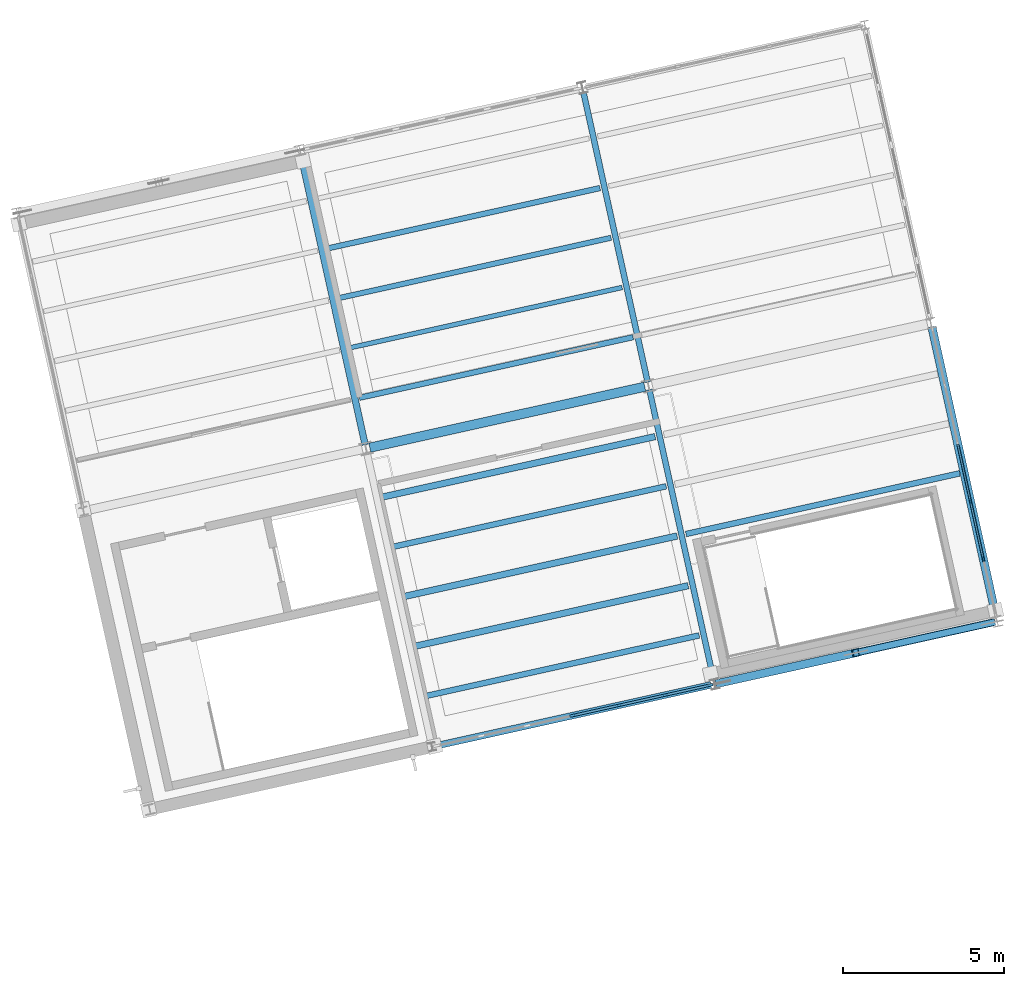
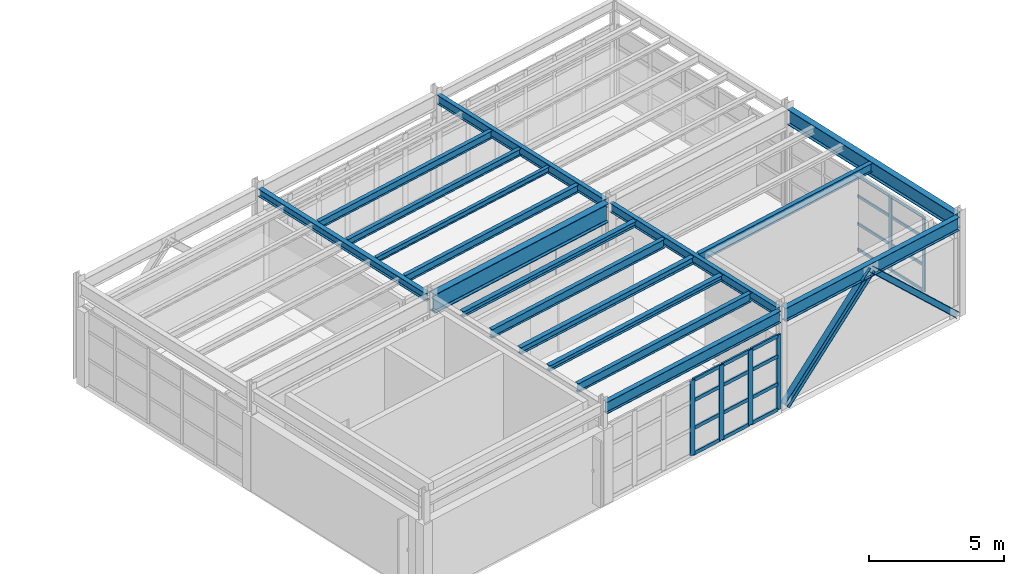
# One storey, part 29 of 59: 28 members, 17 beams, 2 elements without a shape of their own.
"""IFC4 building model written with IfcOpenShell, lengths in metres."""

from ifc_helpers import new_model, si_unit, direction, frame, origin, origin_2d, place, context, subcontext, project, spatial, rectangle, i_section, extrude, material, layer, layer_set, material_profile, profile_set, type_object, element, aggregate, save


model = new_model("IFC4")

# Units and contexts
model_context = context("Model", 3, precision=1e-05, world=origin(), true_north=direction((0.0, 1.0)))
body_context = subcontext(model_context, "Body", "Model", "MODEL_VIEW")
ifc_project = project(units=[si_unit("LENGTHUNIT", "METRE"), si_unit("AREAUNIT", "SQUARE_METRE"), si_unit("VOLUMEUNIT", "CUBIC_METRE"), si_unit("PLANEANGLEUNIT", "RADIAN"), si_unit("MASSUNIT", "GRAM", prefix="KILO")], contexts=[model_context])

# Site, building, storey
site_placement = place(None, origin())
site = spatial("IfcSite", under=ifc_project, at=site_placement, CompositionType="ELEMENT")
building_placement = place(site_placement, origin())
building = spatial("IfcBuilding", under=site, at=building_placement, Name="Vireo Bluff Cable Station", CompositionType="ELEMENT")
storey_placement = place(building_placement, frame((0.0, 0.0, 14.39990234375)))
storey = spatial("IfcBuildingStorey", under=building, at=storey_placement, Name="L03", CompositionType="ELEMENT", Elevation=14.39990234375)

# Beams
ifc_material_1 = material(Name="Steel ASTM A992 Gr. 50", Category="steel")
ifc_material_profile_1 = material_profile(ifc_material_1, i_section(OverallWidth=0.2041015625, OverallDepth=0.35009765625, WebThickness=0.008544921875, FlangeThickness=0.01513671875, FilletRadius=0.010009765625, at=origin_2d()), Name="W14X48")
ifc_profile_set_1 = profile_set([ifc_material_profile_1], Name="Steel ASTM A992 Gr. 50")
beam_type_1 = type_object("IfcBeamType", Name="BM-W14X48", PredefinedType="BEAM", material=ifc_profile_set_1)
beam_1_placement = place(storey_placement, frame((139.43505859375, 96.562744140625, 4.3251953125), z_axis=(-0.216455863908, 0.976292404447, 0.0), x_axis=(-0.976292404447, -0.216455863908, 0.0)))
element("IfcBeam", 1, at=beam_1_placement, inside=storey, type_object=beam_type_1, Name="V2 L03 beam 576", PredefinedType="BEAM", context=body_context, shape_type="SweptSolid", body=[
    extrude(i_section(OverallWidth=0.2041015625, OverallDepth=0.35009765625, WebThickness=0.008544921875, FlangeThickness=0.01513671875, FilletRadius=0.010009765625, at=origin_2d()), origin(), (0.0, 0.0, 1.0), 9.260009765625),
])
ifc_material_profile_2 = material_profile(ifc_material_1, i_section(OverallWidth=0.178955078125, OverallDepth=0.408935546875, WebThickness=0.0087890625, FlangeThickness=0.014404296875, FilletRadius=0.010009765625, at=origin_2d()), Name="W16X45")
ifc_profile_set_2 = profile_set([ifc_material_profile_2], Name="Steel ASTM A992 Gr. 50")
beam_type_2 = type_object("IfcBeamType", Name="BM-W16X45", PredefinedType="BEAM", material=ifc_profile_set_2)
beam_2_placement = place(storey_placement, frame((150.27783203125, 89.23583984375, 4.295654296875), z_axis=(-0.216430734067, 0.976297975698, 0.0), x_axis=(-0.976297975698, -0.216430734067, 0.0)))
element("IfcBeam", 2, at=beam_2_placement, inside=storey, type_object=beam_type_2, Name="V2 L03 beam 577", PredefinedType="BEAM", context=body_context, shape_type="SweptSolid", body=[
    extrude(i_section(OverallWidth=0.178955078125, OverallDepth=0.408935546875, WebThickness=0.0087890625, FlangeThickness=0.014404296875, FilletRadius=0.010009765625, at=origin_2d()), origin(), (0.0, 0.0, 1.0), 9.260009765625),
])
ifc_material_profile_3 = material_profile(ifc_material_1, i_section(OverallWidth=0.180908203125, OverallDepth=0.4169921875, WebThickness=0.010986328125, FlangeThickness=0.018310546875, FilletRadius=0.010009765625, at=origin_2d()), Name="W16X57")
ifc_profile_set_3 = profile_set([ifc_material_profile_3], Name="Steel ASTM A992 Gr. 50")
beam_type_3 = type_object("IfcBeamType", Name="BM-W16X57", PredefinedType="BEAM", material=ifc_profile_set_3)
beam_3_placement = place(storey_placement, frame((148.2216796875, 98.5107421875, 4.29150390625), z_axis=(-0.216430734067, 0.976297975698, 0.0), x_axis=(-0.976297975698, -0.216430734067, 0.0)))
element("IfcBeam", 3, at=beam_3_placement, inside=storey, type_object=beam_type_3, Name="V2 L03 beam 578", PredefinedType="BEAM", context=body_context, shape_type="SweptSolid", body=[
    extrude(i_section(OverallWidth=0.180908203125, OverallDepth=0.4169921875, WebThickness=0.010986328125, FlangeThickness=0.018310546875, FilletRadius=0.010009765625, at=origin_2d()), origin(), (0.0, 0.0, 1.0), 9.260009765625),
])

# Members
ifc_material_profile_4 = material_profile(ifc_material_1, i_section(OverallWidth=0.2041015625, OverallDepth=0.257080078125, WebThickness=0.0087890625, FlangeThickness=0.015625, FilletRadius=0.009033203125, at=origin_2d()), Name="W10X45")
ifc_profile_set_4 = profile_set([ifc_material_profile_4], Name="Steel ASTM A992 Gr. 50")
member_type_1 = type_object("IfcMemberType", Name="BRC-01", PredefinedType="BRACE", material=ifc_profile_set_4)
member_1_placement = place(storey_placement, frame((158.934326171875, 91.031982421875, 0.0400390625), z_axis=(-0.70641690538, -0.156588063094, 0.69025744059), x_axis=(0.216412221259, -0.976302079528, 0.0)))
element("IfcMember", 4, at=member_1_placement, inside=storey, type_object=member_type_1, Name="V2 L03 concentric brace 48R", PredefinedType="BRACE", context=body_context, shape_type="SweptSolid", body=[
    extrude(i_section(OverallWidth=0.2041015625, OverallDepth=0.257080078125, WebThickness=0.0087890625, FlangeThickness=0.015625, FilletRadius=0.009033203125, at=origin_2d()), origin(), (0.0, 0.0, 1.0), 5.998046875),
])
ifc_material_profile_5 = material_profile(ifc_material_1, i_section(OverallWidth=0.25390625, OverallDepth=0.35302734375, WebThickness=0.009521484375, FlangeThickness=0.016357421875, FilletRadius=0.011962890625, at=origin_2d()), Name="W14X61")
ifc_profile_set_5 = profile_set([ifc_material_profile_5], Name="Steel ASTM A992 Gr. 50")
member_type_2 = type_object("IfcMemberType", Name="BRC-06", PredefinedType="BRACE", material=ifc_profile_set_5)
member_2_placement = place(storey_placement, frame((150.4599609375, 89.1533203125, 0.0400390625), z_axis=(0.706432793225, 0.156623265057, 0.690233193565), x_axis=(-0.216453952688, 0.976292828185, 0.0)))
element("IfcMember", 5, at=member_2_placement, inside=storey, type_object=member_type_2, Name="V2 L03 concentric brace 47L", PredefinedType="BRACE", context=body_context, shape_type="SweptSolid", body=[
    extrude(i_section(OverallWidth=0.25390625, OverallDepth=0.35302734375, WebThickness=0.009521484375, FlangeThickness=0.016357421875, FilletRadius=0.011962890625, at=origin_2d()), origin(), (0.0, 0.0, 1.0), 5.998291015625),
])

# Curtain wall, members
ifc_material_2 = material(Name="Anodized Aluminium 6063-T6", Category="aluminium")
ifc_layer_1 = layer(ifc_material_2, 0.179931640625, Name="Anodized Aluminium 6063-T6")
ifc_layer_set_1 = layer_set([ifc_layer_1], Name="Anodized Aluminium 6063-T6")
curtain_wall_type_1 = type_object("IfcCurtainWallType", Name="CW-UNIT-1500", PredefinedType="USERDEFINED", material=ifc_layer_set_1)
curtain_wall_1_placement = place(storey_placement, origin())
curtain_wall_1 = element("IfcCurtainWall", 6, at=curtain_wall_1_placement, inside=storey, type_object=curtain_wall_type_1, Name="V2 L03 south curtain wall CW-061", ObjectType="UNITISED CURTAIN WALL", PredefinedType="USERDEFINED")
ifc_material_profile_6 = material_profile(ifc_material_2, rectangle(XDim=0.074951171875, YDim=0.2099609375, at=origin_2d()), Name="ALU-M-75X210")
ifc_profile_set_6 = profile_set([ifc_material_profile_6], Name="Anodized Aluminium 6063-T6")
member_type_3 = type_object("IfcMemberType", Name="CWM-02", PredefinedType="MULLION", material=ifc_profile_set_6)
member_3_placement = place(storey_placement, frame((150.141357421875, 89.082763671875, 0.0), z_axis=(0.0, 0.0, 1.0), x_axis=(0.216439605844, -0.976296008914, 0.0)))
member_3 = element("IfcMember", 7, at=member_3_placement, type_object=member_type_3, Name="CW-061 mullion 1", PredefinedType="MULLION", context=body_context, shape_type="SweptSolid", body=[
    extrude(rectangle(XDim=0.074951171875, YDim=0.2099609375, at=origin_2d()), origin(), (0.0, 0.0, 1.0), 3.400146484375),
])
member_4_placement = place(storey_placement, frame((148.75146484375, 88.7744140625, 0.0), z_axis=(0.0, 0.0, 1.0), x_axis=(0.216439605844, -0.976296008914, 0.0)))
member_4 = element("IfcMember", 8, at=member_4_placement, type_object=member_type_3, Name="CW-061 mullion 2", PredefinedType="MULLION", context=body_context, shape_type="SweptSolid", body=[
    extrude(rectangle(XDim=0.074951171875, YDim=0.2099609375, at=origin_2d()), origin(), (0.0, 0.0, 1.0), 3.400146484375),
])
member_5_placement = place(storey_placement, frame((147.32470703125, 88.458251953125, 0.0), z_axis=(0.0, 0.0, 1.0), x_axis=(0.216439605844, -0.976296008914, 0.0)))
member_5 = element("IfcMember", 9, at=member_5_placement, type_object=member_type_3, Name="CW-061 mullion 3", PredefinedType="MULLION", context=body_context, shape_type="SweptSolid", body=[
    extrude(rectangle(XDim=0.074951171875, YDim=0.2099609375, at=origin_2d()), origin(), (0.0, 0.0, 1.0), 3.400146484375),
])
member_6_placement = place(storey_placement, frame((145.898193359375, 88.14208984375, 0.0), z_axis=(0.0, 0.0, 1.0), x_axis=(0.216439605844, -0.976296008914, 0.0)))
member_6 = element("IfcMember", 10, at=member_6_placement, type_object=member_type_3, Name="CW-061 mullion 4", PredefinedType="MULLION", context=body_context, shape_type="SweptSolid", body=[
    extrude(rectangle(XDim=0.074951171875, YDim=0.2099609375, at=origin_2d()), origin(), (0.0, 0.0, 1.0), 3.400146484375),
])

ifc_layer_2 = layer(ifc_material_2, 0.159912109375, Name="Anodized Aluminium 6063-T6")
ifc_layer_set_2 = layer_set([ifc_layer_2], Name="Anodized Aluminium 6063-T6")
curtain_wall_type_2 = type_object("IfcCurtainWallType", Name="CW-STICK-1750", PredefinedType="USERDEFINED", material=ifc_layer_set_2)
curtain_wall_2_placement = place(storey_placement, origin())
curtain_wall_2 = element("IfcCurtainWall", 11, at=curtain_wall_2_placement, inside=storey, type_object=curtain_wall_type_2, Name="V2 L03 east curtain wall CW-066", ObjectType="STICK CURTAIN WALL", PredefinedType="USERDEFINED")
ifc_material_profile_7 = material_profile(ifc_material_2, rectangle(XDim=0.06005859375, YDim=0.159912109375, at=origin_2d()), Name="ALU-M-60X160")
ifc_profile_set_7 = profile_set([ifc_material_profile_7], Name="Anodized Aluminium 6063-T6")
member_type_4 = type_object("IfcMemberType", Name="CWM-03", PredefinedType="MULLION", material=ifc_profile_set_7)
member_7_placement = place(storey_placement, frame((158.260986328125, 94.8076171875, 0.0), z_axis=(0.0, 0.0, 1.0), x_axis=(0.976296011151, 0.216439595757, 0.0)))
member_7 = element("IfcMember", 12, at=member_7_placement, type_object=member_type_4, Name="CW-066 mullion 4", PredefinedType="MULLION", context=body_context, shape_type="SweptSolid", body=[
    extrude(rectangle(XDim=0.06005859375, YDim=0.159912109375, at=origin_2d()), origin(), (0.0, 0.0, 1.0), 3.400146484375),
])
member_8_placement = place(storey_placement, frame((158.658447265625, 93.01513671875, 0.0), z_axis=(0.0, 0.0, 1.0), x_axis=(0.976296011151, 0.216439595757, 0.0)))
member_8 = element("IfcMember", 13, at=member_8_placement, type_object=member_type_4, Name="CW-066 mullion 5", PredefinedType="MULLION", context=body_context, shape_type="SweptSolid", body=[
    extrude(rectangle(XDim=0.06005859375, YDim=0.159912109375, at=origin_2d()), origin(), (0.0, 0.0, 1.0), 3.400146484375),
])

# Member
ifc_material_profile_8 = material_profile(ifc_material_2, rectangle(XDim=0.074951171875, YDim=0.159912109375, at=origin_2d()), Name="ALU-T-75X160")
ifc_profile_set_8 = profile_set([ifc_material_profile_8], Name="Anodized Aluminium 6063-T6")
member_type_5 = type_object("IfcMemberType", Name="CWT-02", PredefinedType="USERDEFINED", material=ifc_profile_set_8)
member_9_placement = place(storey_placement, frame((150.104736328125, 89.074462890625, 0.03759765625), z_axis=(-0.976327398418, -0.216297968318, 0.0), x_axis=(0.216297968318, -0.976327398418, 0.0)))
member_9 = element("IfcMember", 14, at=member_9_placement, type_object=member_type_5, Name="CW-061 transom 1.1", ObjectType="TRANSOM", PredefinedType="USERDEFINED", context=body_context, shape_type="SweptSolid", body=[
    extrude(rectangle(XDim=0.074951171875, YDim=0.159912109375, at=origin_2d()), origin(), (0.0, 0.0, 1.0), 1.348876953125),
])

member_10_placement = place(storey_placement, frame((150.104736328125, 89.074462890625, 1.190185546875), z_axis=(-0.976327398418, -0.216297968318, 0.0), x_axis=(0.216297968318, -0.976327398418, 0.0)))
member_10 = element("IfcMember", 15, at=member_10_placement, type_object=member_type_5, Name="CW-061 transom 1.2", ObjectType="TRANSOM", PredefinedType="USERDEFINED", context=body_context, shape_type="SweptSolid", body=[
    extrude(rectangle(XDim=0.074951171875, YDim=0.159912109375, at=origin_2d()), origin(), (0.0, 0.0, 1.0), 1.348876953125),
])

member_11_placement = place(storey_placement, frame((150.104736328125, 89.074462890625, 2.447998046875), z_axis=(-0.976327398418, -0.216297968318, 0.0), x_axis=(0.216297968318, -0.976327398418, 0.0)))
member_11 = element("IfcMember", 16, at=member_11_placement, type_object=member_type_5, Name="CW-061 transom 1.3", ObjectType="TRANSOM", PredefinedType="USERDEFINED", context=body_context, shape_type="SweptSolid", body=[
    extrude(rectangle(XDim=0.074951171875, YDim=0.159912109375, at=origin_2d()), origin(), (0.0, 0.0, 1.0), 1.348876953125),
])

member_12_placement = place(storey_placement, frame((150.104736328125, 89.074462890625, 3.362548828125), z_axis=(-0.976327398418, -0.216297968318, 0.0), x_axis=(0.216297968318, -0.976327398418, 0.0)))
member_12 = element("IfcMember", 17, at=member_12_placement, type_object=member_type_5, Name="CW-061 transom 1.4", ObjectType="TRANSOM", PredefinedType="USERDEFINED", context=body_context, shape_type="SweptSolid", body=[
    extrude(rectangle(XDim=0.074951171875, YDim=0.159912109375, at=origin_2d()), origin(), (0.0, 0.0, 1.0), 1.348876953125),
])

member_13_placement = place(storey_placement, frame((148.71484375, 88.766357421875, 0.03759765625), z_axis=(-0.976298805708, -0.216426989938, 0.0), x_axis=(0.216426989938, -0.976298805708, 0.0)))
member_13 = element("IfcMember", 18, at=member_13_placement, type_object=member_type_5, Name="CW-061 transom 2.1", ObjectType="TRANSOM", PredefinedType="USERDEFINED", context=body_context, shape_type="SweptSolid", body=[
    extrude(rectangle(XDim=0.074951171875, YDim=0.159912109375, at=origin_2d()), origin(), (0.0, 0.0, 1.0), 1.386474609375),
])

member_14_placement = place(storey_placement, frame((148.71484375, 88.766357421875, 1.190185546875), z_axis=(-0.976298805708, -0.216426989938, 0.0), x_axis=(0.216426989938, -0.976298805708, 0.0)))
member_14 = element("IfcMember", 19, at=member_14_placement, type_object=member_type_5, Name="CW-061 transom 2.2", ObjectType="TRANSOM", PredefinedType="USERDEFINED", context=body_context, shape_type="SweptSolid", body=[
    extrude(rectangle(XDim=0.074951171875, YDim=0.159912109375, at=origin_2d()), origin(), (0.0, 0.0, 1.0), 1.386474609375),
])

member_15_placement = place(storey_placement, frame((148.71484375, 88.766357421875, 2.447998046875), z_axis=(-0.976298805708, -0.216426989938, 0.0), x_axis=(0.216426989938, -0.976298805708, 0.0)))
member_15 = element("IfcMember", 20, at=member_15_placement, type_object=member_type_5, Name="CW-061 transom 2.3", ObjectType="TRANSOM", PredefinedType="USERDEFINED", context=body_context, shape_type="SweptSolid", body=[
    extrude(rectangle(XDim=0.074951171875, YDim=0.159912109375, at=origin_2d()), origin(), (0.0, 0.0, 1.0), 1.386474609375),
])

member_16_placement = place(storey_placement, frame((148.71484375, 88.766357421875, 3.362548828125), z_axis=(-0.976298805708, -0.216426989938, 0.0), x_axis=(0.216426989938, -0.976298805708, 0.0)))
member_16 = element("IfcMember", 21, at=member_16_placement, type_object=member_type_5, Name="CW-061 transom 2.4", ObjectType="TRANSOM", PredefinedType="USERDEFINED", context=body_context, shape_type="SweptSolid", body=[
    extrude(rectangle(XDim=0.074951171875, YDim=0.159912109375, at=origin_2d()), origin(), (0.0, 0.0, 1.0), 1.386474609375),
])

member_17_placement = place(storey_placement, frame((147.2880859375, 88.4501953125, 0.03759765625), z_axis=(-0.97629055494, -0.216464205669, 0.0), x_axis=(0.216464205669, -0.97629055494, 0.0)))
member_17 = element("IfcMember", 22, at=member_17_placement, type_object=member_type_5, Name="CW-061 transom 3.1", ObjectType="TRANSOM", PredefinedType="USERDEFINED", context=body_context, shape_type="SweptSolid", body=[
    extrude(rectangle(XDim=0.074951171875, YDim=0.159912109375, at=origin_2d()), origin(), (0.0, 0.0, 1.0), 1.38623046875),
])

member_18_placement = place(storey_placement, frame((147.2880859375, 88.4501953125, 1.190185546875), z_axis=(-0.97629055494, -0.216464205669, 0.0), x_axis=(0.216464205669, -0.97629055494, 0.0)))
member_18 = element("IfcMember", 23, at=member_18_placement, type_object=member_type_5, Name="CW-061 transom 3.2", ObjectType="TRANSOM", PredefinedType="USERDEFINED", context=body_context, shape_type="SweptSolid", body=[
    extrude(rectangle(XDim=0.074951171875, YDim=0.159912109375, at=origin_2d()), origin(), (0.0, 0.0, 1.0), 1.38623046875),
])

member_19_placement = place(storey_placement, frame((147.2880859375, 88.4501953125, 2.447998046875), z_axis=(-0.97629055494, -0.216464205669, 0.0), x_axis=(0.216464205669, -0.97629055494, 0.0)))
member_19 = element("IfcMember", 24, at=member_19_placement, type_object=member_type_5, Name="CW-061 transom 3.3", ObjectType="TRANSOM", PredefinedType="USERDEFINED", context=body_context, shape_type="SweptSolid", body=[
    extrude(rectangle(XDim=0.074951171875, YDim=0.159912109375, at=origin_2d()), origin(), (0.0, 0.0, 1.0), 1.38623046875),
])

member_20_placement = place(storey_placement, frame((147.2880859375, 88.4501953125, 3.362548828125), z_axis=(-0.97629055494, -0.216464205669, 0.0), x_axis=(0.216464205669, -0.97629055494, 0.0)))
member_20 = element("IfcMember", 25, at=member_20_placement, type_object=member_type_5, Name="CW-061 transom 3.4", ObjectType="TRANSOM", PredefinedType="USERDEFINED", context=body_context, shape_type="SweptSolid", body=[
    extrude(rectangle(XDim=0.074951171875, YDim=0.159912109375, at=origin_2d()), origin(), (0.0, 0.0, 1.0), 1.38623046875),
])

aggregate(curtain_wall_1, [member_3, member_4, member_5, member_6, member_9, member_10, member_11, member_12, member_13, member_14, member_15, member_16, member_17, member_18, member_19, member_20])

ifc_material_profile_9 = material_profile(ifc_material_2, rectangle(XDim=0.06005859375, YDim=0.1201171875, at=origin_2d()), Name="ALU-T-60X120")
ifc_profile_set_9 = profile_set([ifc_material_profile_9], Name="Anodized Aluminium 6063-T6")
member_type_6 = type_object("IfcMemberType", Name="CWT-03", PredefinedType="USERDEFINED", material=ifc_profile_set_9)
member_21_placement = place(storey_placement, frame((157.8701171875, 96.571044921875, 0.030029296875), z_axis=(0.216479284546, -0.976287211512, 0.0), x_axis=(0.976287211512, 0.216479284546, 0.0)))
member_21 = element("IfcMember", 26, at=member_21_placement, type_object=member_type_6, Name="CW-066 transom 3.1", ObjectType="TRANSOM", PredefinedType="USERDEFINED", context=body_context, shape_type="SweptSolid", body=[
    extrude(rectangle(XDim=0.06005859375, YDim=0.1201171875, at=origin_2d()), origin(), (0.0, 0.0, 1.0), 1.7763671875),
])

member_22_placement = place(storey_placement, frame((157.8701171875, 96.571044921875, 1.190185546875), z_axis=(0.216479284546, -0.976287211512, 0.0), x_axis=(0.976287211512, 0.216479284546, 0.0)))
member_22 = element("IfcMember", 27, at=member_22_placement, type_object=member_type_6, Name="CW-066 transom 3.2", ObjectType="TRANSOM", PredefinedType="USERDEFINED", context=body_context, shape_type="SweptSolid", body=[
    extrude(rectangle(XDim=0.06005859375, YDim=0.1201171875, at=origin_2d()), origin(), (0.0, 0.0, 1.0), 1.7763671875),
])

member_23_placement = place(storey_placement, frame((157.8701171875, 96.571044921875, 2.447998046875), z_axis=(0.216479284546, -0.976287211512, 0.0), x_axis=(0.976287211512, 0.216479284546, 0.0)))
member_23 = element("IfcMember", 28, at=member_23_placement, type_object=member_type_6, Name="CW-066 transom 3.3", ObjectType="TRANSOM", PredefinedType="USERDEFINED", context=body_context, shape_type="SweptSolid", body=[
    extrude(rectangle(XDim=0.06005859375, YDim=0.1201171875, at=origin_2d()), origin(), (0.0, 0.0, 1.0), 1.7763671875),
])

member_24_placement = place(storey_placement, frame((157.8701171875, 96.571044921875, 3.3701171875), z_axis=(0.216479284546, -0.976287211512, 0.0), x_axis=(0.976287211512, 0.216479284546, 0.0)))
member_24 = element("IfcMember", 29, at=member_24_placement, type_object=member_type_6, Name="CW-066 transom 3.4", ObjectType="TRANSOM", PredefinedType="USERDEFINED", context=body_context, shape_type="SweptSolid", body=[
    extrude(rectangle(XDim=0.06005859375, YDim=0.1201171875, at=origin_2d()), origin(), (0.0, 0.0, 1.0), 1.7763671875),
])

member_25_placement = place(storey_placement, frame((158.267578125, 94.7783203125, 0.030029296875), z_axis=(0.216508337251, -0.97628076899, 0.0), x_axis=(0.97628076899, 0.216508337251, 0.0)))
member_25 = element("IfcMember", 30, at=member_25_placement, type_object=member_type_6, Name="CW-066 transom 4.1", ObjectType="TRANSOM", PredefinedType="USERDEFINED", context=body_context, shape_type="SweptSolid", body=[
    extrude(rectangle(XDim=0.06005859375, YDim=0.1201171875, at=origin_2d()), origin(), (0.0, 0.0, 1.0), 1.776123046875),
])

member_26_placement = place(storey_placement, frame((158.267578125, 94.7783203125, 1.190185546875), z_axis=(0.216508337251, -0.97628076899, 0.0), x_axis=(0.97628076899, 0.216508337251, 0.0)))
member_26 = element("IfcMember", 31, at=member_26_placement, type_object=member_type_6, Name="CW-066 transom 4.2", ObjectType="TRANSOM", PredefinedType="USERDEFINED", context=body_context, shape_type="SweptSolid", body=[
    extrude(rectangle(XDim=0.06005859375, YDim=0.1201171875, at=origin_2d()), origin(), (0.0, 0.0, 1.0), 1.776123046875),
])

member_27_placement = place(storey_placement, frame((158.267578125, 94.7783203125, 2.447998046875), z_axis=(0.216508337251, -0.97628076899, 0.0), x_axis=(0.97628076899, 0.216508337251, 0.0)))
member_27 = element("IfcMember", 32, at=member_27_placement, type_object=member_type_6, Name="CW-066 transom 4.3", ObjectType="TRANSOM", PredefinedType="USERDEFINED", context=body_context, shape_type="SweptSolid", body=[
    extrude(rectangle(XDim=0.06005859375, YDim=0.1201171875, at=origin_2d()), origin(), (0.0, 0.0, 1.0), 1.776123046875),
])

member_28_placement = place(storey_placement, frame((158.267578125, 94.7783203125, 3.3701171875), z_axis=(0.216508337251, -0.97628076899, 0.0), x_axis=(0.97628076899, 0.216508337251, 0.0)))
member_28 = element("IfcMember", 33, at=member_28_placement, type_object=member_type_6, Name="CW-066 transom 4.4", ObjectType="TRANSOM", PredefinedType="USERDEFINED", context=body_context, shape_type="SweptSolid", body=[
    extrude(rectangle(XDim=0.06005859375, YDim=0.1201171875, at=origin_2d()), origin(), (0.0, 0.0, 1.0), 1.776123046875),
])

aggregate(curtain_wall_2, [member_7, member_8, member_21, member_22, member_23, member_24, member_25, member_26, member_27, member_28])

# Beams
ifc_material_profile_10 = material_profile(ifc_material_1, i_section(OverallWidth=0.2919921875, OverallDepth=0.85888671875, WebThickness=0.01708984375, FlangeThickness=0.031005859375, FilletRadius=0.01806640625, at=origin_2d()), Name="W33X169")
ifc_profile_set_10 = profile_set([ifc_material_profile_10], Name="Steel ASTM A992 Gr. 50")
beam_type_4 = type_object("IfcBeamType", Name="GIR-W33X169", PredefinedType="USERDEFINED", material=ifc_profile_set_10)
beam_4_placement = place(storey_placement, frame((139.578125, 96.471435546875, 4.070556640625), z_axis=(0.976295795297, 0.216440569406, 0.0), x_axis=(-0.216440569406, 0.976295795297, 0.0)))
element("IfcBeam", 34, at=beam_4_placement, inside=storey, type_object=beam_type_4, Name="V2 L03 girder 568", ObjectType="GIRDER", PredefinedType="USERDEFINED", context=body_context, shape_type="SweptSolid", body=[
    extrude(i_section(OverallWidth=0.2919921875, OverallDepth=0.85888671875, WebThickness=0.01708984375, FlangeThickness=0.031005859375, FilletRadius=0.01806640625, at=origin_2d()), origin(), (0.0, 0.0, 1.0), 8.760009765625),
])
ifc_material_profile_11 = material_profile(ifc_material_1, i_section(OverallWidth=0.14599609375, OverallDepth=0.259033203125, WebThickness=0.006103515625, FlangeThickness=0.009033203125, FilletRadius=0.009033203125, at=origin_2d()), Name="W10X22")
ifc_profile_set_11 = profile_set([ifc_material_profile_11], Name="Steel ASTM A992 Gr. 50")
beam_type_5 = type_object("IfcBeamType", Name="JST-W10X22", PredefinedType="JOIST", material=ifc_profile_set_11)
beam_5_placement = place(storey_placement, frame((138.912353515625, 99.5673828125, 4.37060546875), z_axis=(0.976293006815, 0.216453146994, 0.0), x_axis=(-0.216453146994, 0.976293006815, 0.0)))
element("IfcBeam", 35, at=beam_5_placement, inside=storey, type_object=beam_type_5, Name="V2 L03 composite joist 592", PredefinedType="JOIST", context=body_context, shape_type="SweptSolid", body=[
    extrude(i_section(OverallWidth=0.14599609375, OverallDepth=0.259033203125, WebThickness=0.006103515625, FlangeThickness=0.009033203125, FilletRadius=0.009033203125, at=origin_2d()), origin(), (0.0, 0.0, 1.0), 8.719970703125),
])
ifc_material_profile_12 = material_profile(ifc_material_1, i_section(OverallWidth=0.201904296875, OverallDepth=0.2470703125, WebThickness=0.00732421875, FlangeThickness=0.010986328125, FilletRadius=0.009033203125, at=origin_2d()), Name="W10X33")
ifc_profile_set_12 = profile_set([ifc_material_profile_12], Name="Steel ASTM A992 Gr. 50")
beam_type_6 = type_object("IfcBeamType", Name="JST-W10X33", PredefinedType="JOIST", material=ifc_profile_set_12)
for number, where, z_axis, x_axis, name in (
    (36, (140.968505859375, 90.292724609375, 4.376708984375), (0.976298923088, 0.216426460438, 0.0), (-0.216426460438, 0.976298923088, 0.0), "V2 L03 composite joist 587"),
    (37, (139.9404296875, 94.929931640625, 4.376708984375), (0.976293006815, 0.216453146994, 0.0), (-0.216453146994, 0.976293006815, 0.0), "V2 L03 composite joist 590"),
):
    element("IfcBeam", number, at=place(storey_placement, frame(where, z_axis=z_axis, x_axis=x_axis)), inside=storey, type_object=beam_type_6, Name=name, PredefinedType="JOIST", context=body_context, shape_type="SweptSolid", body=[
        extrude(i_section(OverallWidth=0.201904296875, OverallDepth=0.2470703125, WebThickness=0.00732421875, FlangeThickness=0.010986328125, FilletRadius=0.009033203125, at=origin_2d()), origin(), (0.0, 0.0, 1.0), 8.719970703125),
    ])
ifc_material_profile_13 = material_profile(ifc_material_1, i_section(OverallWidth=0.1650390625, OverallDepth=0.31005859375, WebThickness=0.005859375, FlangeThickness=0.009765625, FilletRadius=0.010009765625, at=origin_2d()), Name="W12X26")
ifc_profile_set_13 = profile_set([ifc_material_profile_13], Name="Steel ASTM A992 Gr. 50")
beam_type_7 = type_object("IfcBeamType", Name="JST-W12X26", PredefinedType="JOIST", material=ifc_profile_set_13)
beam_6_placement = place(storey_placement, frame((138.569580078125, 101.11328125, 4.34521484375), z_axis=(0.976298923088, 0.216426460438, 0.0), x_axis=(-0.216426460438, 0.976298923088, 0.0)))
element("IfcBeam", 38, at=beam_6_placement, inside=storey, type_object=beam_type_7, Name="V2 L03 composite joist 593", PredefinedType="JOIST", context=body_context, shape_type="SweptSolid", body=[
    extrude(i_section(OverallWidth=0.1650390625, OverallDepth=0.31005859375, WebThickness=0.005859375, FlangeThickness=0.009765625, FilletRadius=0.010009765625, at=origin_2d()), origin(), (0.0, 0.0, 1.0), 8.719970703125),
])
ifc_material_profile_14 = material_profile(ifc_material_1, i_section(OverallWidth=0.202880859375, OverallDepth=0.302978515625, WebThickness=0.007568359375, FlangeThickness=0.01318359375, FilletRadius=0.010009765625, at=origin_2d()), Name="W12X40")
ifc_profile_set_14 = profile_set([ifc_material_profile_14], Name="Steel ASTM A992 Gr. 50")
beam_type_8 = type_object("IfcBeamType", Name="JST-W12X40", PredefinedType="JOIST", material=ifc_profile_set_14)
beam_7_placement = place(storey_placement, frame((140.625732421875, 91.83837890625, 4.3486328125), z_axis=(0.976294318526, 0.216447230551, 0.0), x_axis=(-0.216447230551, 0.976294318526, 0.0)))
element("IfcBeam", 39, at=beam_7_placement, inside=storey, type_object=beam_type_8, Name="V2 L03 composite joist 588", PredefinedType="JOIST", context=body_context, shape_type="SweptSolid", body=[
    extrude(i_section(OverallWidth=0.202880859375, OverallDepth=0.302978515625, WebThickness=0.007568359375, FlangeThickness=0.01318359375, FilletRadius=0.010009765625, at=origin_2d()), origin(), (0.0, 0.0, 1.0), 8.72021484375),
])
ifc_material_profile_15 = material_profile(ifc_material_1, i_section(OverallWidth=0.1708984375, OverallDepth=0.35107421875, WebThickness=0.0068359375, FlangeThickness=0.009765625, FilletRadius=0.010009765625, at=origin_2d()), Name="W14X30")
ifc_profile_set_15 = profile_set([ifc_material_profile_15], Name="Steel ASTM A992 Gr. 50")
beam_type_9 = type_object("IfcBeamType", Name="JST-W14X30", PredefinedType="JOIST", material=ifc_profile_set_15)
beam_8_placement = place(storey_placement, frame((139.2548828125, 98.021728515625, 4.32470703125), z_axis=(0.976300234484, 0.216420544652, 0.0), x_axis=(-0.216420544652, 0.976300234484, 0.0)))
element("IfcBeam", 40, at=beam_8_placement, inside=storey, type_object=beam_type_9, Name="V2 L03 composite joist 591", PredefinedType="JOIST", context=body_context, shape_type="SweptSolid", body=[
    extrude(i_section(OverallWidth=0.1708984375, OverallDepth=0.35107421875, WebThickness=0.0068359375, FlangeThickness=0.009765625, FilletRadius=0.010009765625, at=origin_2d()), origin(), (0.0, 0.0, 1.0), 8.719970703125),
])
beam_9_placement = place(storey_placement, frame((138.226806640625, 102.658935546875, 4.32470703125), z_axis=(0.976294318526, 0.216447230551, 0.0), x_axis=(-0.216447230551, 0.976294318526, 0.0)))
element("IfcBeam", 41, at=beam_9_placement, inside=storey, type_object=beam_type_9, Name="V2 L03 composite joist 594", PredefinedType="JOIST", context=body_context, shape_type="SweptSolid", body=[
    extrude(i_section(OverallWidth=0.1708984375, OverallDepth=0.35107421875, WebThickness=0.0068359375, FlangeThickness=0.009765625, FilletRadius=0.010009765625, at=origin_2d()), origin(), (0.0, 0.0, 1.0), 8.72021484375),
])
ifc_material_profile_16 = material_profile(ifc_material_1, i_section(OverallWidth=0.177978515625, OverallDepth=0.404052734375, WebThickness=0.007568359375, FlangeThickness=0.010986328125, FilletRadius=0.010009765625, at=origin_2d()), Name="W16X36")
ifc_profile_set_16 = profile_set([ifc_material_profile_16], Name="Steel ASTM A992 Gr. 50")
beam_type_10 = type_object("IfcBeamType", Name="JST-W16X36", PredefinedType="JOIST", material=ifc_profile_set_16)
beam_10_placement = place(storey_placement, frame((141.31103515625, 88.746826171875, 4.298095703125), z_axis=(0.976294318526, 0.216447230551, 0.0), x_axis=(-0.216447230551, 0.976294318526, 0.0)))
element("IfcBeam", 42, at=beam_10_placement, inside=storey, type_object=beam_type_10, Name="V2 L03 composite joist 586", PredefinedType="JOIST", context=body_context, shape_type="SweptSolid", body=[
    extrude(i_section(OverallWidth=0.177978515625, OverallDepth=0.404052734375, WebThickness=0.007568359375, FlangeThickness=0.010986328125, FilletRadius=0.010009765625, at=origin_2d()), origin(), (0.0, 0.0, 1.0), 8.72021484375),
])
beam_11_placement = place(storey_placement, frame((140.282958984375, 93.38427734375, 4.298095703125), z_axis=(0.976300234484, 0.216420544652, 0.0), x_axis=(-0.216420544652, 0.976300234484, 0.0)))
element("IfcBeam", 43, at=beam_11_placement, inside=storey, type_object=beam_type_10, Name="V2 L03 composite joist 589", PredefinedType="JOIST", context=body_context, shape_type="SweptSolid", body=[
    extrude(i_section(OverallWidth=0.177978515625, OverallDepth=0.404052734375, WebThickness=0.007568359375, FlangeThickness=0.010986328125, FilletRadius=0.010009765625, at=origin_2d()), origin(), (0.0, 0.0, 1.0), 8.719970703125),
])
beam_12_placement = place(storey_placement, frame((149.412353515625, 93.786376953125, 4.298095703125), z_axis=(0.976294318526, 0.216447230551, 0.0), x_axis=(-0.216447230551, 0.976294318526, 0.0)))
element("IfcBeam", 44, at=beam_12_placement, inside=storey, type_object=beam_type_10, Name="V2 L03 composite joist 596", PredefinedType="JOIST", context=body_context, shape_type="SweptSolid", body=[
    extrude(i_section(OverallWidth=0.177978515625, OverallDepth=0.404052734375, WebThickness=0.007568359375, FlangeThickness=0.010986328125, FilletRadius=0.010009765625, at=origin_2d()), origin(), (0.0, 0.0, 1.0), 8.72021484375),
])
ifc_material_profile_17 = material_profile(ifc_material_1, i_section(OverallWidth=0.2099609375, OverallDepth=0.535888671875, WebThickness=0.010986328125, FlangeThickness=0.017333984375, FilletRadius=0.012939453125, at=origin_2d()), Name="W21X68")
ifc_profile_set_17 = profile_set([ifc_material_profile_17], Name="Steel ASTM A992 Gr. 50")
beam_type_11 = type_object("IfcBeamType", Name="SPN-W21X68", PredefinedType="SPANDREL", material=ifc_profile_set_17)
beam_13_placement = place(storey_placement, frame((141.63427734375, 87.19677734375, 4.232177734375), z_axis=(0.97629710087, 0.216434680293, 0.0), x_axis=(-0.216434680293, 0.97629710087, 0.0)))
element("IfcBeam", 45, at=beam_13_placement, inside=storey, type_object=beam_type_11, Name="V2 L03 spandrel 565", PredefinedType="SPANDREL", context=body_context, shape_type="SweptSolid", body=[
    extrude(i_section(OverallWidth=0.2099609375, OverallDepth=0.535888671875, WebThickness=0.010986328125, FlangeThickness=0.017333984375, FilletRadius=0.012939453125, at=origin_2d()), origin(), (0.0, 0.0, 1.0), 8.760009765625),
])
ifc_material_profile_18 = material_profile(ifc_material_1, i_section(OverallWidth=0.22802734375, OverallDepth=0.60693359375, WebThickness=0.01123046875, FlangeThickness=0.017333984375, FilletRadius=0.012939453125, at=origin_2d()), Name="W24X76")
ifc_profile_set_18 = profile_set([ifc_material_profile_18], Name="Steel ASTM A992 Gr. 50")
beam_type_12 = type_object("IfcBeamType", Name="SPN-W24X76", PredefinedType="SPANDREL", material=ifc_profile_set_18)
beam_14_placement = place(storey_placement, frame((150.4208984375, 89.144775390625, 4.196533203125), z_axis=(0.97629710087, 0.216434680293, 0.0), x_axis=(-0.216434680293, 0.97629710087, 0.0)))
element("IfcBeam", 46, at=beam_14_placement, inside=storey, type_object=beam_type_12, Name="V2 L03 spandrel 566", PredefinedType="SPANDREL", context=body_context, shape_type="SweptSolid", body=[
    extrude(i_section(OverallWidth=0.22802734375, OverallDepth=0.60693359375, WebThickness=0.01123046875, FlangeThickness=0.017333984375, FilletRadius=0.012939453125, at=origin_2d()), origin(), (0.0, 0.0, 1.0), 8.760009765625),
])
ifc_material_profile_19 = material_profile(ifc_material_1, i_section(OverallWidth=0.257080078125, OverallDepth=0.693115234375, WebThickness=0.014404296875, FlangeThickness=0.023681640625, FilletRadius=0.014892578125, at=origin_2d()), Name="W27X114")
ifc_profile_set_19 = profile_set([ifc_material_profile_19], Name="Steel ASTM A992 Gr. 50")
beam_type_13 = type_object("IfcBeamType", Name="SPN-W27X114", PredefinedType="SPANDREL", material=ifc_profile_set_19)
beam_15_placement = place(storey_placement, frame((159.064453125, 91.183837890625, 4.153564453125), z_axis=(-0.216430734067, 0.976297975698, 0.0), x_axis=(-0.976297975698, -0.216430734067, 0.0)))
element("IfcBeam", 47, at=beam_15_placement, inside=storey, type_object=beam_type_13, Name="V2 L03 spandrel 579", PredefinedType="SPANDREL", context=body_context, shape_type="SweptSolid", body=[
    extrude(i_section(OverallWidth=0.257080078125, OverallDepth=0.693115234375, WebThickness=0.014404296875, FlangeThickness=0.023681640625, FilletRadius=0.014892578125, at=origin_2d()), origin(), (0.0, 0.0, 1.0), 9.260009765625),
])

save(model, "model.ifc")
